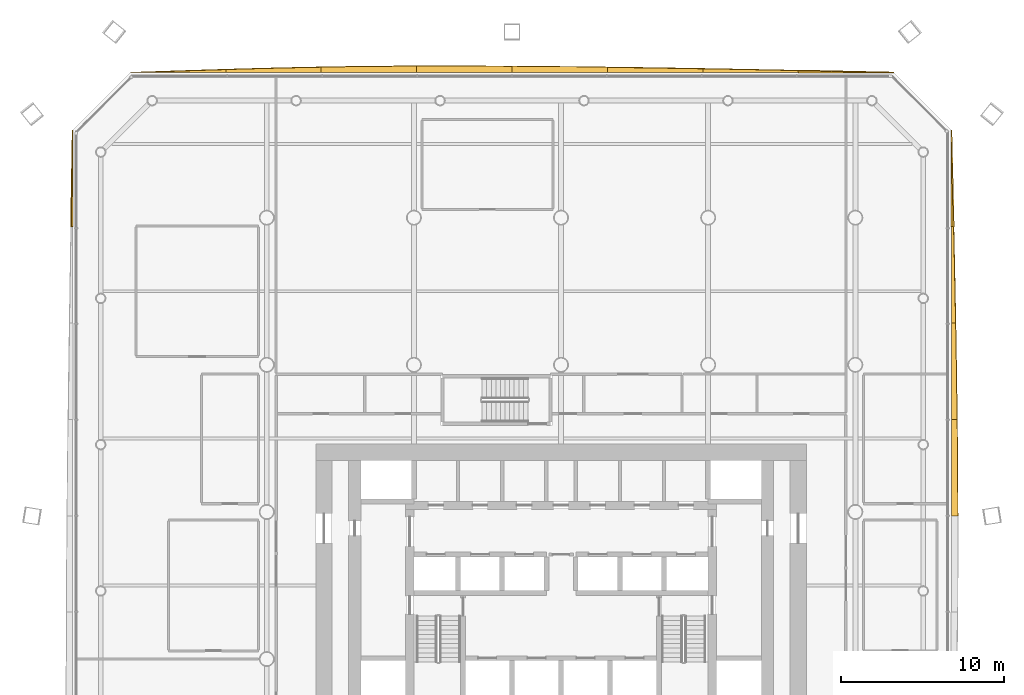
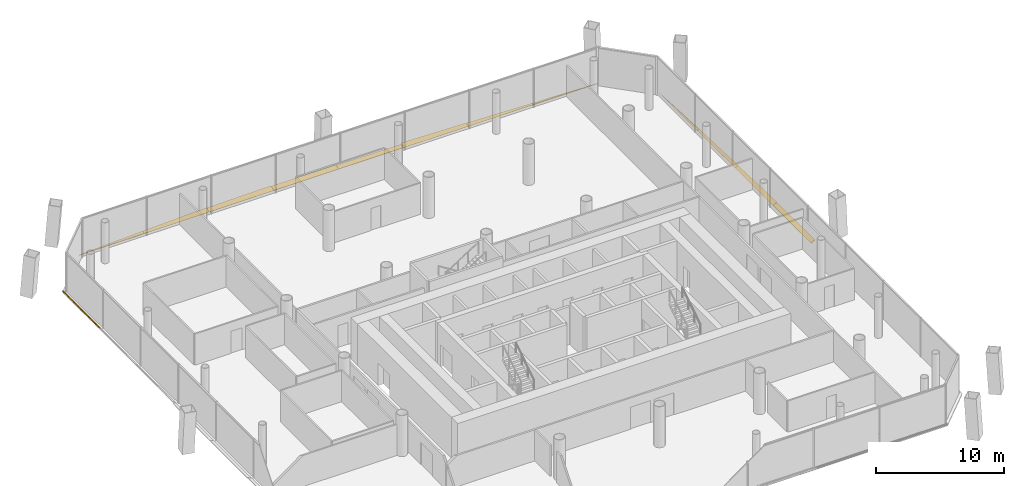
# One storey, part 21 of 21: 13 shading devices.
"""IFC4 building model written with IfcOpenShell, lengths in metres."""

import ifcopenshell
import ifcopenshell.guid

model = None  # the IFC model being written
_history = None  # IfcOwnerHistory: only IFC2X3 demands one
_inside = {}  # id of a spatial element -> (the spatial element, [elements in it])
_under = {}  # id of a project, library or spatial element -> (it, [spatial elements below it])
_declared = {}  # id of a project -> (the project, [libraries it declares])
_typed = {}  # id of a type object -> (the type object, [elements of that type])
_made_of = {}  # id of a material, layer set ... -> (it, [elements and type objects made of it])


def new_model(schema):
    """Start an empty IFC model of exactly this schema.

    Asked for "IFC4X3", IfcOpenShell would pick the latest addendum, in which some entities
    have other attributes; the version numbers below select the first issue.
    IFC2X3 requires an IfcOwnerHistory on every rooted entity: one is made here for all.
    """
    global model, _history
    if schema == "IFC4X3":
        model = ifcopenshell.file(schema_version=(4, 3, 0, 0))
    else:
        model = ifcopenshell.file(schema=schema)
    _inside.clear()
    _under.clear()
    _declared.clear()
    _typed.clear()
    _made_of.clear()
    _history = None
    if model.schema == "IFC2X3":
        org = make("IfcOrganization", Name="unknown")
        user = make(
            "IfcPersonAndOrganization",
            ThePerson=make("IfcPerson", FamilyName="unknown"),
            TheOrganization=org,
        )
        app = make(
            "IfcApplication",
            ApplicationDeveloper=org,
            Version="unknown",
            ApplicationFullName="unknown",
            ApplicationIdentifier="unknown",
        )
        _history = make(
            "IfcOwnerHistory",
            OwningUser=user,
            OwningApplication=app,
            ChangeAction="ADDED",
            CreationDate=0,
        )
    return model


def make(cls, **values):
    """One entity of the class cls with the attributes given. An attribute that is None is left unset."""
    return model.create_entity(
        cls, **{name: value for name, value in values.items() if value is not None}
    )


def rooted(cls, **values):
    """An entity with a GlobalId (a new one), such as an element, a storey or a relation."""
    return make(cls, GlobalId=ifcopenshell.guid.new(), OwnerHistory=_history, **values)


def si_unit(unit_type, name, prefix=None):
    """IfcSIUnit, for example si_unit("LENGTHUNIT", "METRE", prefix="MILLI")."""
    return make("IfcSIUnit", UnitType=unit_type, Prefix=prefix, Name=name)


def assignment(units):
    """IfcUnitAssignment: the units of a project."""
    return None if units is None else make("IfcUnitAssignment", Units=units)


def point(xyz):
    """IfcCartesianPoint."""
    return None if xyz is None else make("IfcCartesianPoint", Coordinates=xyz)


def direction(xyz):
    """IfcDirection."""
    return None if xyz is None else make("IfcDirection", DirectionRatios=xyz)


def frame(location, z_axis=None, x_axis=None):
    """IfcAxis2Placement3D, a coordinate frame: its origin and axes. An axis left out is left unset."""
    return make(
        "IfcAxis2Placement3D",
        Location=point(location),
        Axis=direction(z_axis),
        RefDirection=direction(x_axis),
    )


def origin():
    """The frame at (0, 0, 0) with its axes left unset."""
    return frame((0.0, 0.0, 0.0))


def place(relative_to, where):
    """IfcLocalPlacement: puts the frame where relative to a parent placement (None: the world)."""
    return make(
        "IfcLocalPlacement", PlacementRelTo=relative_to, RelativePlacement=where
    )


def context(
    kind, dimensions, precision=None, world=None, true_north=None, identifier=None
):
    """IfcGeometricRepresentationContext, for example the 3D "Model" context."""
    return make(
        "IfcGeometricRepresentationContext",
        ContextIdentifier=identifier,
        ContextType=kind,
        CoordinateSpaceDimension=dimensions,
        Precision=precision,
        WorldCoordinateSystem=world,
        TrueNorth=true_north,
    )


def subcontext(parent, identifier, kind, view, scale=None):
    """IfcGeometricRepresentationSubContext, for example "Body" below "Model"."""
    return make(
        "IfcGeometricRepresentationSubContext",
        ContextIdentifier=identifier,
        ContextType=kind,
        ParentContext=parent,
        TargetScale=scale,
        TargetView=view,
    )


def project(units=None, contexts=None):
    """IfcProject with its units and contexts."""
    return rooted(
        "IfcProject",
        Name="project",
        RepresentationContexts=contexts,
        UnitsInContext=assignment(units),
    )


def spatial(cls, under=None, at=None, **own):
    """A site, building, storey or space (cls), placed at a placement, below another one or the project."""
    s = rooted(cls, ObjectPlacement=at, **own)
    if under is not None:
        _under.setdefault(under.id(), (under, []))[1].append(s)
    return s


def polyline(points):
    """IfcPolyline through the points."""
    return make("IfcPolyline", Points=[point(p) for p in points])


def outline(outer, holes=None, kind="AREA"):
    """IfcArbitraryClosedProfileDef: a profile drawn as a closed curve; with holes, ...WithVoids."""
    if holes is None:
        return make("IfcArbitraryClosedProfileDef", ProfileType=kind, OuterCurve=outer)
    return make(
        "IfcArbitraryProfileDefWithVoids",
        ProfileType=kind,
        OuterCurve=outer,
        InnerCurves=holes,
    )


def extrude(swept, where, along, depth):
    """IfcExtrudedAreaSolid: the profile swept, set in the frame where, extruded along a direction by depth."""
    return make(
        "IfcExtrudedAreaSolid",
        SweptArea=swept,
        Position=where,
        ExtrudedDirection=direction(along),
        Depth=depth,
    )


def shape(context_of_items, identifier, shape_type, items):
    """IfcShapeRepresentation: the items that make up one representation, for example the "Body"."""
    return make(
        "IfcShapeRepresentation",
        ContextOfItems=context_of_items,
        RepresentationIdentifier=identifier,
        RepresentationType=shape_type,
        Items=items,
    )


def material(Name=None, Category=None):
    """IfcMaterial."""
    return make("IfcMaterial", Name=Name, Category=Category)


def layer(
    of_material, thickness, ventilated=None, Name=None, Category=None, Priority=None
):
    """IfcMaterialLayer: one layer of a wall or slab, of a material (None: an air gap)."""
    return make(
        "IfcMaterialLayer",
        Material=of_material,
        LayerThickness=thickness,
        IsVentilated=ventilated,
        Name=Name,
        Category=Category,
        Priority=Priority,
    )


def layer_set(layers, Name=None):
    """IfcMaterialLayerSet."""
    return make("IfcMaterialLayerSet", MaterialLayers=layers, LayerSetName=Name)


def made_of(thing, what):
    """Note that an element or type object is made of a material, layer set ...; save() writes the relation."""
    if what is not None:
        _made_of.setdefault(what.id(), (what, []))[1].append(thing)
    return thing


def type_object(cls, material=None, **own):
    """A type object (cls), such as IfcWallType, which elements share."""
    return made_of(rooted(cls, **own), material)


def element(
    cls,
    number,
    at=None,
    inside=None,
    cuts=None,
    type_object=None,
    material=None,
    context=None,
    identifier="Body",
    shape_type=None,
    held_by="IfcProductDefinitionShape",
    body=None,
    shapes=None,
    **own,
):
    """One element of the class cls, such as IfcWall. Its Tag is "e" and its number.

    at: its placement. inside: the storey or other place that contains it. cuts: it is an
    opening in that element (IfcRelVoidsElement). A single representation is given by context,
    identifier, shape_type and body (its items); several are given by shapes. held_by: the class
    of the entity that holds the representations. save() writes the other relations.
    """
    e = rooted(cls, Tag="e%d" % number, ObjectPlacement=at, **own)
    if body is not None:
        shapes = [shape(context, identifier, shape_type, body)]
    if shapes is not None:
        e.Representation = make(held_by, Representations=shapes)
    if inside is not None:
        _inside.setdefault(inside.id(), (inside, []))[1].append(e)
    if cuts is not None:
        rooted(
            "IfcRelVoidsElement", RelatingBuildingElement=cuts, RelatedOpeningElement=e
        )
    if type_object is not None:
        _typed.setdefault(type_object.id(), (type_object, []))[1].append(e)
    return made_of(e, material)


def aggregate(whole, parts):
    """IfcRelAggregates: a whole, such as a stair, and the parts it consists of."""
    return rooted("IfcRelAggregates", RelatingObject=whole, RelatedObjects=parts)


def save(model, path):
    """Write the relations noted so far, then the file.

    IfcRelAggregates (storeys below a building ...), IfcRelContainedInSpatialStructure (elements
    in a storey), IfcRelDefinesByType, IfcRelAssociatesMaterial and IfcRelDeclares: one each for
    every whole, place, type object, material and project.
    """
    for whole, parts in _under.values():
        aggregate(whole, parts)
    for where, things in _inside.values():
        rooted(
            "IfcRelContainedInSpatialStructure",
            RelatedElements=things,
            RelatingStructure=where,
        )
    for kind, things in _typed.values():
        rooted("IfcRelDefinesByType", RelatedObjects=things, RelatingType=kind)
    for what, things in _made_of.values():
        rooted("IfcRelAssociatesMaterial", RelatedObjects=things, RelatingMaterial=what)
    for by, libraries in _declared.values():
        rooted("IfcRelDeclares", RelatingContext=by, RelatedDefinitions=libraries)
    model.write(path)


model = new_model("IFC4")

# Units and contexts
model_context = context("Model", 3, precision=1e-05, world=origin(), true_north=direction((0.0, 1.0)))
body_context = subcontext(model_context, "Body", "Model", "MODEL_VIEW")
ifc_project = project(units=[si_unit("LENGTHUNIT", "METRE"), si_unit("AREAUNIT", "SQUARE_METRE"), si_unit("VOLUMEUNIT", "CUBIC_METRE"), si_unit("PLANEANGLEUNIT", "RADIAN"), si_unit("MASSUNIT", "GRAM", prefix="KILO")], contexts=[model_context])

# Site, building, storey
site_placement = place(None, origin())
site = spatial("IfcSite", under=ifc_project, at=site_placement, CompositionType="ELEMENT")
building_placement = place(site_placement, origin())
building = spatial("IfcBuilding", under=site, at=building_placement, Name="Tskaro Facet Tower", CompositionType="ELEMENT")
storey_placement = place(building_placement, frame((0.0, 0.0, 42.0)))
storey = spatial("IfcBuildingStorey", under=building, at=storey_placement, Name="L09", CompositionType="ELEMENT", Elevation=42.0)

# Shading devices
ifc_material = material(Name="Bronze anodised aluminium 6063-T6", Category="aluminium")
ifc_layer = layer(ifc_material, 0.06005859375, Name="Bronze anodised aluminium 6063-T6")
ifc_layer_set = layer_set([ifc_layer], Name="Bronze anodised aluminium 6063-T6")
shading_device_type = type_object("IfcShadingDeviceType", Name="Bronze sun blade (FN1)", PredefinedType="USERDEFINED", material=ifc_layer_set)
shading_device_1_placement = place(storey_placement, frame((23.878662109375, -0.239013671875, 0.054443359375), z_axis=(-0.422486199817, -1.025112e-05, 0.906369356752), x_axis=(-4.330957e-06, 0.999999999947, 9.291301e-06)))
element("IfcShadingDevice", 1, at=shading_device_1_placement, inside=storey, type_object=shading_device_type, Name="Fin blade east 5", ObjectType="FIN", PredefinedType="USERDEFINED", context=body_context, shape_type="SweptSolid", body=[
    extrude(outline(polyline([(0.0, 0.0), (5.894531249690285, 0.0), (5.894531250981409, -0.3863224915388523), (5.157714843902922, -0.3951719743933388), (4.420898437728138, -0.403254466459193), (3.6840820312460365, -0.41024554011028225), (2.9472656246102757, -0.41669090455398905), (2.210449217667197, -0.42204485058293095), (1.4736328116278212, -0.42663180582324045), (0.736816406492149, -0.43045177027491766), (-8.203753547407472e-12, -0.4334015978930798), (0.0, 0.0)])), origin(), (0.0, 0.0, -1.0), 0.06005859375),
])
shading_device_2_placement = place(storey_placement, frame((23.8740234375, 5.655517578125, 0.052001953125), z_axis=(-0.499904796229, 4.442373e-06, 0.866080362719), x_axis=(2.220763e-06, 0.99999999999, -3.847452e-06)))
element("IfcShadingDevice", 2, at=shading_device_2_placement, inside=storey, type_object=shading_device_type, Name="Fin blade east 6", ObjectType="FIN", PredefinedType="USERDEFINED", context=body_context, shape_type="SweptSolid", body=[
    extrude(outline(polyline([(0.0, 0.0), (5.894531249941837, 2.4964310886850375e-21), (5.894531249863668, -0.3027615437584089), (5.157714843779684, -0.3179630545666463), (4.420898437008483, -0.33240818210232104), (3.684082031031563, -0.34618632469709665), (2.947265624909606, -0.3594195294203661), (2.2104492190397513, -0.37177430380167986), (1.4736328124826807, -0.38337269491043097), (0.7368164067198912, -0.39430410107828284), (-2.7229330937867296e-10, -0.40426767857251567), (0.0, 0.0)])), origin(), (0.0, 0.0, -1.0), 0.06005859375),
])
shading_device_3_placement = place(storey_placement, frame((23.86962890625, 11.550048828125, 0.049072265625), z_axis=(-0.573668523939, -4.479233e-06, 0.819087556139), x_axis=(-2.569595e-06, 0.99999999999, 3.668884e-06)))
element("IfcShadingDevice", 3, at=shading_device_3_placement, inside=storey, type_object=shading_device_type, Name="Fin blade east 7", ObjectType="FIN", PredefinedType="USERDEFINED", context=body_context, shape_type="SweptSolid", body=[
    extrude(outline(polyline([(0.0, 0.0), (5.894531249940868, 0.0), (5.89453124992716, -0.17108667086284984), (5.157714844019995, -0.19140748213417602), (4.420898437844447, -0.21138826506563593), (3.684082031132138, -0.23068899131736348), (2.9472656250471716, -0.2497897450212036), (2.210449218425443, -0.2682104420453113), (1.4736328121626758, -0.2860911381816654), (0.7368164062588699, -0.30343183343026586), (-1.8169816525306836e-10, -0.32009247199913393), (0.0, 0.0)])), origin(), (0.0, 0.0, -1.0), 0.06005859375),
])
shading_device_4_placement = place(storey_placement, frame((23.865478515625, 17.444580078125, 0.0458984375), z_axis=(-0.643261710859, -8.088455e-06, 0.765646374822), x_axis=(-5.202993e-06, 0.999999999967, 6.192896e-06)))
element("IfcShadingDevice", 4, at=shading_device_4_placement, inside=storey, type_object=shading_device_type, Name="Fin blade east 8", ObjectType="FIN", PredefinedType="USERDEFINED", context=body_context, shape_type="SweptSolid", body=[
    extrude(outline(polyline([(0.0, 0.0), (5.894531249807181, 0.0), (5.157714844592281, -0.023382424667568676), (4.420898437865445, -0.04660780301900464), (3.6840820311386078, -0.0698331813704406), (2.947265624411771, -0.09305855972187657), (2.2104492189551963, -0.11609701268882841), (1.4736328117450084, -0.1386344476390307), (0.7368164058050826, -0.16098495720474892), (-3.7651870385269737e-10, -0.18299149506985027), (0.0, 0.0)])), origin(), (0.0, 0.0, -1.0), 0.06005859375),
])
shading_device_5_placement = place(storey_placement, frame((20.339111328125, 26.8740234375, 0.052001953125), z_axis=(2.2219685e-05, -0.49952969295, 0.866296765184), x_axis=(-0.999999999753, -1.1099393e-05, 1.9248842e-05)))
element("IfcShadingDevice", 5, at=shading_device_5_placement, inside=storey, type_object=shading_device_type, Name="Fin blade north 1", ObjectType="FIN", PredefinedType="USERDEFINED", context=body_context, shape_type="SweptSolid", body=[
    extrude(outline(polyline([(0.0, 0.0), (5.8349609360595975, 0.0), (5.834960938944886, -0.1449308731096344), (5.105468750454079, -0.1274275849247513), (4.3762207005986005, -0.10959084301465563), (3.6467285128279947, -0.09154260287082035), (2.9174804683921414, -0.07328286449324549), (2.1882324212464757, -0.05523462434941021), (1.458740231486258, -0.03685293048036233), (0.7294921897602173, -0.01838169386904788), (0.0, 0.0)])), origin(), (0.0, 0.0, -1.0), 0.06005859375),
])
shading_device_6_placement = place(storey_placement, frame((14.504150390625, 26.86962890625, 0.049072265625), z_axis=(-4.036955e-06, -0.573905826293, 0.818921304236), x_axis=(-0.999999999992, 2.316832e-06, -3.305948e-06)))
element("IfcShadingDevice", 6, at=shading_device_6_placement, inside=storey, type_object=shading_device_type, Name="Fin blade north 2", ObjectType="FIN", PredefinedType="USERDEFINED", context=body_context, shape_type="SweptSolid", body=[
    extrude(outline(polyline([(0.0, 0.0), (5.834716796827456, 1.2355493412128005e-21), (5.834716797058999, -0.2906313356927148), (5.105224609449708, -0.27485073395984244), (4.375976562706899, -0.25873008654080315), (3.6467285156399405, -0.2420694614765534), (2.917236328189467, -0.2250687907261367), (2.1879882810398428, -0.2075281423305096), (1.458496093506704, -0.18964744824871554), (0.729248046598563, -0.1717667541669215), (1.7338916063534413e-10, -0.15320596871279363), (0.0, 0.0)])), origin(), (0.0, 0.0, -1.0), 0.06005859375),
])
shading_device_7_placement = place(storey_placement, frame((8.66943359375, 26.865478515625, 0.0458984375), z_axis=(-1.8149793e-05, -0.643004215214, 0.765862637089), x_axis=(-0.999999999835, 1.1670393e-05, -1.3900248e-05)))
element("IfcShadingDevice", 7, at=shading_device_7_placement, inside=storey, type_object=shading_device_type, Name="Fin blade north 3", ObjectType="FIN", PredefinedType="USERDEFINED", context=body_context, shape_type="SweptSolid", body=[
    extrude(outline(polyline([(0.0, 0.0), (5.8347167959139785, 9.884394729702404e-21), (5.834716798225309, -0.4257813009501735), (5.1052246083216835, -0.41346568138435447), (4.375976562981031, -0.40064911673361026), (3.64672851533556, -0.3873016122660328), (2.9172363281539253, -0.37326618453061644), (2.18798827983683, -0.3583558553444474), (1.4587402320641325, -0.3431015645243589), (0.7292480476044886, -0.32734632861934526), (-1.3842316163619191e-09, -0.31087317471458464), (0.0, 0.0)])), origin(), (0.0, 0.0, -1.0), 0.06005859375),
])
shading_device_8_placement = place(storey_placement, frame((2.834716796875, 26.883544921875, 0.056396484375), z_axis=(-2.411939e-06, -0.341953133796, 0.939717007551), x_axis=(-0.999999999997, 8.2477e-07, -2.26654e-06)))
element("IfcShadingDevice", 8, at=shading_device_8_placement, inside=storey, type_object=shading_device_type, Name="Fin blade north 4", ObjectType="FIN", PredefinedType="USERDEFINED", context=body_context, shape_type="SweptSolid", body=[
    extrude(outline(polyline([(0.0, 0.0), (5.834716796858029, 0.0), (5.834716796824723, -0.40477698355277564), (5.105468749798127, -0.39960412903918663), (4.375976562498527, -0.39411836677624423), (3.646728515571843, -0.3876314274713064), (2.9172363283721525, -0.3808315804170153), (2.187988281193382, -0.3733434640700821), (1.458740234517241, -0.3650001091268949), (0.729248046813381, -0.35619790798861295), (-1.1484506127184043e-10, -0.34685337600343025), (0.0, 0.0)])), origin(), (0.0, 0.0, -1.0), 0.06005859375),
])
shading_device_9_placement = place(storey_placement, frame((-3.0, 26.878662109375, 0.054443359375), z_axis=(9.362833e-06, -0.422489328412, 0.906367898422), x_axis=(-0.999999999956, -3.955697e-06, 8.486171e-06)))
element("IfcShadingDevice", 9, at=shading_device_9_placement, inside=storey, type_object=shading_device_type, Name="Fin blade north 5", ObjectType="FIN", PredefinedType="USERDEFINED", context=body_context, shape_type="SweptSolid", body=[
    extrude(outline(polyline([(0.0, 0.0), (5.834716796619257, 0.0), (5.834716797159063, -0.4355844349242144), (5.1054687494906075, -0.43635142540854455), (5.0412597641526755, -0.4365727066337549), (4.3759765629883285, -0.4361301441833341), (3.6467285148988924, -0.4352600068903051), (2.9174804686006235, -0.43340159788773547), (2.187988281537038, -0.4309974796260461), (1.4587402349581162, -0.42804765210523704), (0.7292480465078055, -0.42422768729139887), (-4.920959776694119e-10, -0.4196407319932306), (0.0, 0.0)])), origin(), (0.0, 0.0, -1.0), 0.06005859375),
])
shading_device_10_placement = place(storey_placement, frame((-8.834716796875, 26.8740234375, 0.052001953125), z_axis=(8.093057e-06, -0.499859924585, 0.866106261222), x_axis=(-0.999999999967, -4.045395e-06, 7.009447e-06)))
element("IfcShadingDevice", 10, at=shading_device_10_placement, inside=storey, type_object=shading_device_type, Name="Fin blade north 6", ObjectType="FIN", PredefinedType="USERDEFINED", context=body_context, shape_type="SweptSolid", body=[
    extrude(outline(polyline([(0.0, 0.0), (5.83471679668392, -2.471098682425601e-21), (5.834716797045374, -0.3847960613264073), (5.105468750175431, -0.39945263440332945), (4.375976562484848, -0.4126858405173469), (3.64672851548761, -0.42395074010617895), (2.917480468294726, -0.4337922727321064), (2.187988281268849, -0.4419989866711911), (1.4587402349363168, -0.4482373940850904), (0.7294921866968477, -0.4529303984216803), (-3.879694891586782e-10, -0.4557771323474895), (0.0, 0.0)])), origin(), (0.0, 0.0, -1.0), 0.06005859375),
])
shading_device_11_placement = place(storey_placement, frame((-14.66943359375, 26.86962890625, 0.049072265625), z_axis=(5.278021e-06, -0.573760619139, 0.819023047232), x_axis=(-0.999999999986, -3.02832e-06, 4.322821e-06)))
element("IfcShadingDevice", 11, at=shading_device_11_placement, inside=storey, type_object=shading_device_type, Name="Fin blade north 7", ObjectType="FIN", PredefinedType="USERDEFINED", context=body_context, shape_type="SweptSolid", body=[
    extrude(outline(polyline([(0.0, 0.0), (5.83471679679373, 0.0), (5.834716796770277, -0.23190904985121308), (5.105468749961141, -0.2578500661788871), (4.376220703259262, -0.2829110555583129), (3.6467285160396434, -0.30709201798949054), (2.9174804689201967, -0.3297128833228153), (2.1879882809669686, -0.35111368663308945), (1.458740234169289, -0.3710944711216696), (0.7294921871628253, -0.3898551935871992), (-2.541232525557306e-10, -0.4068558621562325), (0.0, 0.0)])), origin(), (0.0, 0.0, -1.0), 0.06005859375),
])
shading_device_12_placement = place(storey_placement, frame((-20.504150390625, 26.865478515625, 0.0458984375), z_axis=(1.4405701e-05, -0.643144012712, 0.765745243998), x_axis=(-0.999999999896, -9.26494e-06, 1.1031097e-05)))
element("IfcShadingDevice", 12, at=shading_device_12_placement, inside=storey, type_object=shading_device_type, Name="Fin blade north 8", ObjectType="FIN", PredefinedType="USERDEFINED", context=body_context, shape_type="SweptSolid", body=[
    extrude(outline(polyline([(0.0, 0.0), (5.834960936894552, 0.0), (5.1054687499302736, -0.03222839617626726), (4.376220703590969, -0.06445679235253451), (3.646728516195499, -0.09634122142507717), (2.917480468993814, -0.12788168339389525), (2.188232421360938, -0.15907817825898873), (1.4587402345026543, -0.18939978939415322), (0.7294921851450158, -0.21922041584434834), (-1.1760818466719386e-09, -0.24797920904213466), (0.0, 0.0)])), origin(), (0.0, 0.0, -1.0), 0.06005859375),
])
shading_device_13_placement = place(storey_placement, frame((-29.8740234375, 23.339111328125, 0.052001953125), z_axis=(0.49987972648, 1.7027669e-05, 0.866094832431), x_axis=(8.511786e-06, -0.999999999855, 1.4747576e-05)))
element("IfcShadingDevice", 13, at=shading_device_13_placement, inside=storey, type_object=shading_device_type, Name="Fin blade west 1", ObjectType="FIN", PredefinedType="USERDEFINED", context=body_context, shape_type="SweptSolid", body=[
    extrude(outline(polyline([(0.0, 0.0), (5.894531249145466, -4.992862177370075e-21), (5.894531250861009, -0.11704113522551791), (5.157714842685069, -0.1025960111393417), (4.4208984345091284, -0.0881508870531655), (3.6840820320117444, -0.07361635498212483), (2.9472656259138774, -0.05895978196221888), (2.2104492198160104, -0.04430320894231292), (1.4736328101176612, -0.02952459497354167), (0.736816406097867, -0.014656573019905958), (0.0, 0.0)])), origin(), (0.0, 0.0, -1.0), 0.06005859375),
])

save(model, "model.ifc")
